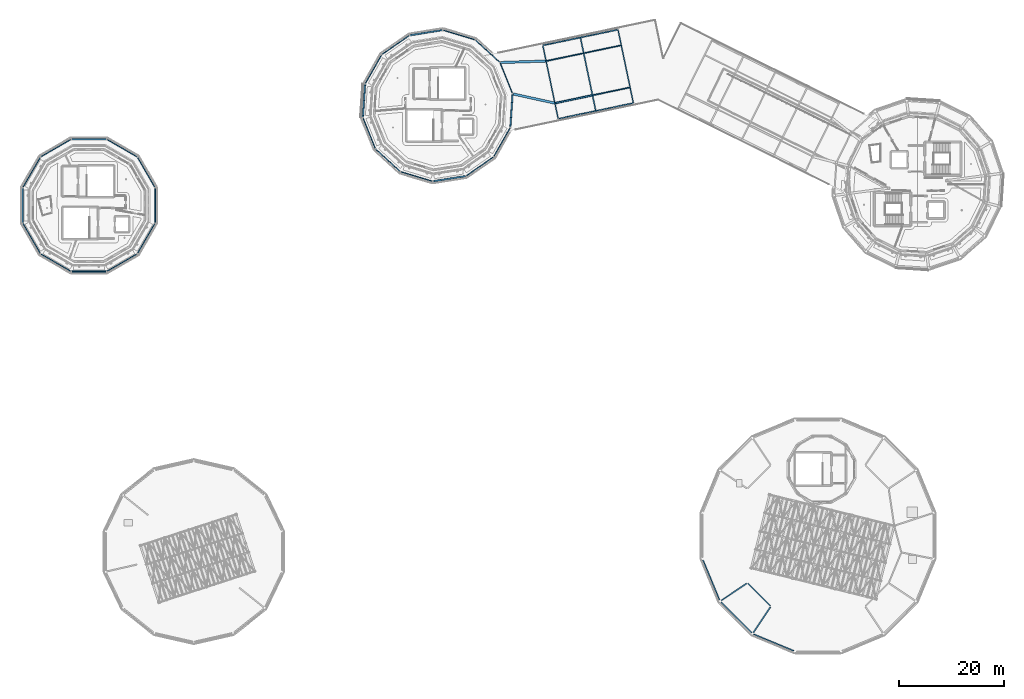
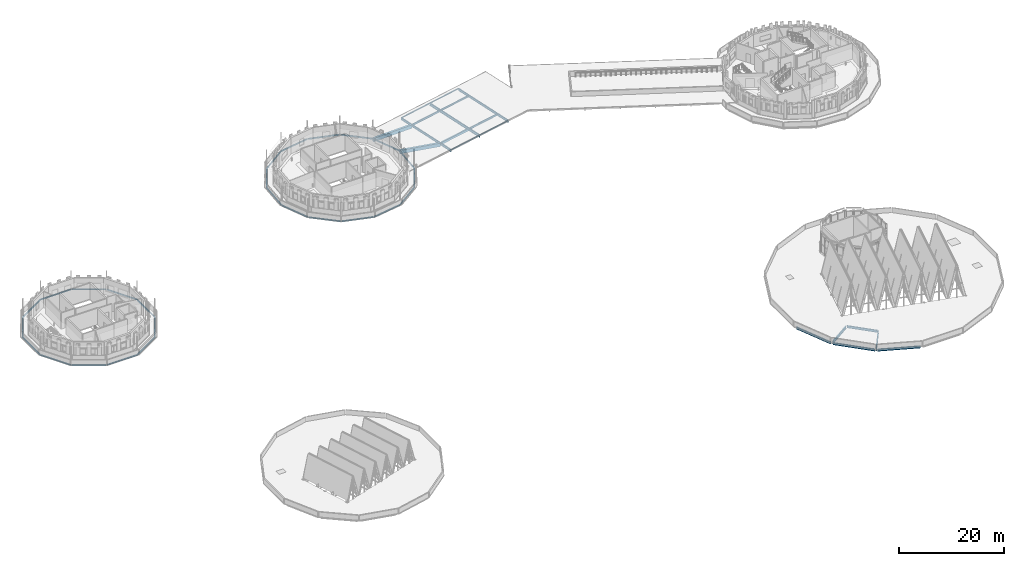
# One storey, part 10 of 51: 45 beams.
"""IFC4 building model written with IfcOpenShell, lengths in metres."""

import ifcopenshell
import ifcopenshell.guid

model = None  # the IFC model being written
_history = None  # IfcOwnerHistory: only IFC2X3 demands one
_inside = {}  # id of a spatial element -> (the spatial element, [elements in it])
_under = {}  # id of a project, library or spatial element -> (it, [spatial elements below it])
_declared = {}  # id of a project -> (the project, [libraries it declares])
_typed = {}  # id of a type object -> (the type object, [elements of that type])
_made_of = {}  # id of a material, layer set ... -> (it, [elements and type objects made of it])


def new_model(schema):
    """Start an empty IFC model of exactly this schema.

    Asked for "IFC4X3", IfcOpenShell would pick the latest addendum, in which some entities
    have other attributes; the version numbers below select the first issue.
    IFC2X3 requires an IfcOwnerHistory on every rooted entity: one is made here for all.
    """
    global model, _history
    if schema == "IFC4X3":
        model = ifcopenshell.file(schema_version=(4, 3, 0, 0))
    else:
        model = ifcopenshell.file(schema=schema)
    _inside.clear()
    _under.clear()
    _declared.clear()
    _typed.clear()
    _made_of.clear()
    _history = None
    if model.schema == "IFC2X3":
        org = make("IfcOrganization", Name="unknown")
        user = make(
            "IfcPersonAndOrganization",
            ThePerson=make("IfcPerson", FamilyName="unknown"),
            TheOrganization=org,
        )
        app = make(
            "IfcApplication",
            ApplicationDeveloper=org,
            Version="unknown",
            ApplicationFullName="unknown",
            ApplicationIdentifier="unknown",
        )
        _history = make(
            "IfcOwnerHistory",
            OwningUser=user,
            OwningApplication=app,
            ChangeAction="ADDED",
            CreationDate=0,
        )
    return model


def make(cls, **values):
    """One entity of the class cls with the attributes given. An attribute that is None is left unset."""
    return model.create_entity(
        cls, **{name: value for name, value in values.items() if value is not None}
    )


def rooted(cls, **values):
    """An entity with a GlobalId (a new one), such as an element, a storey or a relation."""
    return make(cls, GlobalId=ifcopenshell.guid.new(), OwnerHistory=_history, **values)


def si_unit(unit_type, name, prefix=None):
    """IfcSIUnit, for example si_unit("LENGTHUNIT", "METRE", prefix="MILLI")."""
    return make("IfcSIUnit", UnitType=unit_type, Prefix=prefix, Name=name)


def assignment(units):
    """IfcUnitAssignment: the units of a project."""
    return None if units is None else make("IfcUnitAssignment", Units=units)


def point(xyz):
    """IfcCartesianPoint."""
    return None if xyz is None else make("IfcCartesianPoint", Coordinates=xyz)


def direction(xyz):
    """IfcDirection."""
    return None if xyz is None else make("IfcDirection", DirectionRatios=xyz)


def frame(location, z_axis=None, x_axis=None):
    """IfcAxis2Placement3D, a coordinate frame: its origin and axes. An axis left out is left unset."""
    return make(
        "IfcAxis2Placement3D",
        Location=point(location),
        Axis=direction(z_axis),
        RefDirection=direction(x_axis),
    )


def frame_2d(location, x_axis=None):
    """IfcAxis2Placement2D, a coordinate frame in the plane: its origin and x axis."""
    return make(
        "IfcAxis2Placement2D", Location=point(location), RefDirection=direction(x_axis)
    )


def origin():
    """The frame at (0, 0, 0) with its axes left unset."""
    return frame((0.0, 0.0, 0.0))


def origin_2d():
    """The frame at (0, 0) in the plane with its x axis left unset."""
    return frame_2d((0.0, 0.0))


def place(relative_to, where):
    """IfcLocalPlacement: puts the frame where relative to a parent placement (None: the world)."""
    return make(
        "IfcLocalPlacement", PlacementRelTo=relative_to, RelativePlacement=where
    )


def context(
    kind, dimensions, precision=None, world=None, true_north=None, identifier=None
):
    """IfcGeometricRepresentationContext, for example the 3D "Model" context."""
    return make(
        "IfcGeometricRepresentationContext",
        ContextIdentifier=identifier,
        ContextType=kind,
        CoordinateSpaceDimension=dimensions,
        Precision=precision,
        WorldCoordinateSystem=world,
        TrueNorth=true_north,
    )


def subcontext(parent, identifier, kind, view, scale=None):
    """IfcGeometricRepresentationSubContext, for example "Body" below "Model"."""
    return make(
        "IfcGeometricRepresentationSubContext",
        ContextIdentifier=identifier,
        ContextType=kind,
        ParentContext=parent,
        TargetScale=scale,
        TargetView=view,
    )


def project(units=None, contexts=None):
    """IfcProject with its units and contexts."""
    return rooted(
        "IfcProject",
        Name="project",
        RepresentationContexts=contexts,
        UnitsInContext=assignment(units),
    )


def spatial(cls, under=None, at=None, **own):
    """A site, building, storey or space (cls), placed at a placement, below another one or the project."""
    s = rooted(cls, ObjectPlacement=at, **own)
    if under is not None:
        _under.setdefault(under.id(), (under, []))[1].append(s)
    return s


def profile(cls, at=None, kind="AREA", **sizes):
    """A parametric profile (cls). Its sizes go by their IFC names, for example OverallWidth=200.0."""
    return make(cls, ProfileType=kind, Position=at, **sizes)


def rectangle(**sizes):
    """IfcRectangleProfileDef."""
    return profile("IfcRectangleProfileDef", **sizes)


def hollow_rectangle(**sizes):
    """IfcRectangleHollowProfileDef."""
    return profile("IfcRectangleHollowProfileDef", **sizes)


def i_section(**sizes):
    """IfcIShapeProfileDef."""
    return profile("IfcIShapeProfileDef", **sizes)


def extrude(swept, where, along, depth):
    """IfcExtrudedAreaSolid: the profile swept, set in the frame where, extruded along a direction by depth."""
    return make(
        "IfcExtrudedAreaSolid",
        SweptArea=swept,
        Position=where,
        ExtrudedDirection=direction(along),
        Depth=depth,
    )


def shape(context_of_items, identifier, shape_type, items):
    """IfcShapeRepresentation: the items that make up one representation, for example the "Body"."""
    return make(
        "IfcShapeRepresentation",
        ContextOfItems=context_of_items,
        RepresentationIdentifier=identifier,
        RepresentationType=shape_type,
        Items=items,
    )


def material(Name=None, Category=None):
    """IfcMaterial."""
    return make("IfcMaterial", Name=Name, Category=Category)


def material_profile(
    of_material, cross_section, Name=None, Category=None, Priority=None
):
    """IfcMaterialProfile: a cross section and its material."""
    return make(
        "IfcMaterialProfile",
        Name=Name,
        Material=of_material,
        Profile=cross_section,
        Priority=Priority,
        Category=Category,
    )


def profile_set(profiles, Name=None, composite=None):
    """IfcMaterialProfileSet."""
    return make(
        "IfcMaterialProfileSet",
        Name=Name,
        MaterialProfiles=profiles,
        CompositeProfile=composite,
    )


def made_of(thing, what):
    """Note that an element or type object is made of a material, layer set ...; save() writes the relation."""
    if what is not None:
        _made_of.setdefault(what.id(), (what, []))[1].append(thing)
    return thing


def type_object(cls, material=None, **own):
    """A type object (cls), such as IfcWallType, which elements share."""
    return made_of(rooted(cls, **own), material)


def element(
    cls,
    number,
    at=None,
    inside=None,
    cuts=None,
    type_object=None,
    material=None,
    context=None,
    identifier="Body",
    shape_type=None,
    held_by="IfcProductDefinitionShape",
    body=None,
    shapes=None,
    **own,
):
    """One element of the class cls, such as IfcWall. Its Tag is "e" and its number.

    at: its placement. inside: the storey or other place that contains it. cuts: it is an
    opening in that element (IfcRelVoidsElement). A single representation is given by context,
    identifier, shape_type and body (its items); several are given by shapes. held_by: the class
    of the entity that holds the representations. save() writes the other relations.
    """
    e = rooted(cls, Tag="e%d" % number, ObjectPlacement=at, **own)
    if body is not None:
        shapes = [shape(context, identifier, shape_type, body)]
    if shapes is not None:
        e.Representation = make(held_by, Representations=shapes)
    if inside is not None:
        _inside.setdefault(inside.id(), (inside, []))[1].append(e)
    if cuts is not None:
        rooted(
            "IfcRelVoidsElement", RelatingBuildingElement=cuts, RelatedOpeningElement=e
        )
    if type_object is not None:
        _typed.setdefault(type_object.id(), (type_object, []))[1].append(e)
    return made_of(e, material)


def aggregate(whole, parts):
    """IfcRelAggregates: a whole, such as a stair, and the parts it consists of."""
    return rooted("IfcRelAggregates", RelatingObject=whole, RelatedObjects=parts)


def save(model, path):
    """Write the relations noted so far, then the file.

    IfcRelAggregates (storeys below a building ...), IfcRelContainedInSpatialStructure (elements
    in a storey), IfcRelDefinesByType, IfcRelAssociatesMaterial and IfcRelDeclares: one each for
    every whole, place, type object, material and project.
    """
    for whole, parts in _under.values():
        aggregate(whole, parts)
    for where, things in _inside.values():
        rooted(
            "IfcRelContainedInSpatialStructure",
            RelatedElements=things,
            RelatingStructure=where,
        )
    for kind, things in _typed.values():
        rooted("IfcRelDefinesByType", RelatedObjects=things, RelatingType=kind)
    for what, things in _made_of.values():
        rooted("IfcRelAssociatesMaterial", RelatedObjects=things, RelatingMaterial=what)
    for by, libraries in _declared.values():
        rooted("IfcRelDeclares", RelatingContext=by, RelatedDefinitions=libraries)
    model.write(path)


model = new_model("IFC4")

# Units and contexts
model_context = context("Model", 3, precision=1e-05, world=origin(), true_north=direction((0.0, 1.0)))
body_context = subcontext(model_context, "Body", "Model", "MODEL_VIEW")
ifc_project = project(units=[si_unit("LENGTHUNIT", "METRE"), si_unit("AREAUNIT", "SQUARE_METRE"), si_unit("VOLUMEUNIT", "CUBIC_METRE"), si_unit("PLANEANGLEUNIT", "RADIAN"), si_unit("MASSUNIT", "GRAM", prefix="KILO")], contexts=[model_context])

# Site, building, storey
site_placement = place(None, origin())
site = spatial("IfcSite", under=ifc_project, at=site_placement, CompositionType="ELEMENT")
building_placement = place(site_placement, origin())
building = spatial("IfcBuilding", under=site, at=building_placement, Name="Wrenclough Park School", CompositionType="ELEMENT")
storey_placement = place(building_placement, frame((0.0, 0.0, 16.800048828125)))
storey = spatial("IfcBuildingStorey", under=building, at=storey_placement, Name="L04", CompositionType="ELEMENT", Elevation=16.800048828125)

# Beams
ifc_material_1 = material(Name="Concrete C32/40", Category="concrete")
ifc_material_profile_1 = material_profile(ifc_material_1, rectangle(XDim=0.300048828125, YDim=0.5, at=origin_2d()), Name="RC BEAM 300x500")
ifc_profile_set_1 = profile_set([ifc_material_profile_1], Name="Concrete C32/40")
beam_type_1 = type_object("IfcBeamType", Name="STR-BM-RC300", PredefinedType="BEAM", material=ifc_profile_set_1)
beam_1_placement = place(storey_placement, frame((105.44287109375, 109.008544921875, -0.47509765625), z_axis=(0.978788063843, 0.20487539159, 0.0), x_axis=(-0.20487539159, 0.978788063843, 0.0)))
element("IfcBeam", 1, at=beam_1_placement, inside=storey, type_object=beam_type_1, Name="W45 L04 longitudinal edge beam R1", PredefinedType="BEAM", context=body_context, shape_type="SweptSolid", body=[
    extrude(rectangle(XDim=0.300048828125, YDim=0.5, at=origin_2d()), origin(), (0.0, 0.0, 1.0), 7.11181640625),
])
ifc_material_2 = material(Name="Concrete C40/50", Category="concrete")
ifc_material_profile_2 = material_profile(ifc_material_2, rectangle(XDim=0.449951171875, YDim=0.800048828125, at=origin_2d()), Name="RC BEAM 450x800")
ifc_profile_set_2 = profile_set([ifc_material_profile_2], Name="Concrete C40/50")
beam_type_2 = type_object("IfcBeamType", Name="STR-BM-RC450", PredefinedType="BEAM", material=ifc_profile_set_2)
beam_2_placement = place(storey_placement, frame((103.554931640625, 117.009521484375, -0.625), z_axis=(-0.999478341224, -0.032296213771, 0.0), x_axis=(0.032296213771, -0.999478341224, 0.0)))
element("IfcBeam", 2, at=beam_2_placement, inside=storey, type_object=beam_type_2, Name="W45 L04 drum junction tie beam 44", PredefinedType="BEAM", context=body_context, shape_type="SweptSolid", body=[
    extrude(rectangle(XDim=0.449951171875, YDim=0.800048828125, at=origin_2d()), origin(), (0.0, 0.0, 1.0), 8.594970703125),
])
beam_3_placement = place(storey_placement, frame((105.2373046875, 109.009521484375, -0.625), z_axis=(-0.976680008479, 0.214700165433, 0.0), x_axis=(-0.214700165433, -0.976680008479, 0.0)))
element("IfcBeam", 3, at=beam_3_placement, inside=storey, type_object=beam_type_2, Name="W45 L04 drum junction tie beam 48", PredefinedType="BEAM", context=body_context, shape_type="SweptSolid", body=[
    extrude(rectangle(XDim=0.449951171875, YDim=0.800048828125, at=origin_2d()), origin(), (0.0, 0.0, 1.0), 8.069091796875),
])
ifc_material_3 = material(Name="Structural steel S355", Category="steel")
ifc_material_profile_3 = material_profile(ifc_material_3, hollow_rectangle(XDim=0.14990234375, YDim=0.25, WallThickness=0.010009765625, InnerFilletRadius=0.010009765625, OuterFilletRadius=0.014892578125, at=origin_2d()), Name="RHS 250x150x10.0")
ifc_profile_set_3 = profile_set([ifc_material_profile_3], Name="Structural steel S355")
beam_type_3 = type_object("IfcBeamType", Name="STR-BM-RHS250", PredefinedType="SPANDREL", material=ifc_profile_set_3)
beam_4_placement = place(storey_placement, frame((103.035400390625, 119.998291015625, -0.35498046875), z_axis=(0.978789692292, 0.20486761155, 0.0), x_axis=(-0.20486761155, 0.978789692292, 0.0)))
element("IfcBeam", 4, at=beam_4_placement, inside=storey, type_object=beam_type_3, Name="W45 overhanging eave fascia beam L1", PredefinedType="SPANDREL", context=body_context, shape_type="SweptSolid", body=[
    extrude(hollow_rectangle(XDim=0.14990234375, YDim=0.25, WallThickness=0.010009765625, InnerFilletRadius=0.010009765625, OuterFilletRadius=0.014892578125, at=origin_2d()), origin(), (0.0, 0.0, 1.0), 7.32177734375),
])
for number, where, z_axis, x_axis, name in (
    (5, (110.201904296875, 121.498291015625, -0.35498046875), (0.97879109171, 0.20486092548, 0.0), (-0.20486092548, 0.97879109171, 0.0), "W45 overhanging eave fascia beam L2"),
    (6, (105.964599609375, 106.001708984375, -0.35498046875), (0.97879109171, 0.20486092548, 0.0), (-0.20486092548, 0.97879109171, 0.0), "W45 overhanging eave fascia beam R1"),
    (7, (113.13134765625, 107.501708984375, -0.35498046875), (0.97879109171, 0.20486092548, 0.0), (-0.20486092548, 0.97879109171, 0.0), "W45 overhanging eave fascia beam R2"),
):
    element("IfcBeam", number, at=place(storey_placement, frame(where, z_axis=z_axis, x_axis=x_axis)), inside=storey, type_object=beam_type_3, Name=name, PredefinedType="SPANDREL", context=body_context, shape_type="SweptSolid", body=[
        extrude(hollow_rectangle(XDim=0.14990234375, YDim=0.25, WallThickness=0.010009765625, InnerFilletRadius=0.010009765625, OuterFilletRadius=0.014892578125, at=origin_2d()), origin(), (0.0, 0.0, 1.0), 7.322021484375),
    ])
ifc_material_profile_4 = material_profile(ifc_material_3, hollow_rectangle(XDim=0.199951171875, YDim=0.300048828125, WallThickness=0.012451171875, InnerFilletRadius=0.012451171875, OuterFilletRadius=0.018798828125, at=origin_2d()), Name="RHS 300x200x12.5")
ifc_profile_set_4 = profile_set([ifc_material_profile_4], Name="Structural steel S355")
beam_type_4 = type_object("IfcBeamType", Name="STR-BM-RHS300", PredefinedType="SPANDREL", material=ifc_profile_set_4)
for number, where, z_axis, x_axis, name in (
    (8, (29.06201171875, 92.952392578125, -0.375), (-0.499984660018, 0.866034260146, 0.0), (-0.866034260146, -0.499984660018, 0.0), "D3 L04 outer ring spandrel beam 1"),
    (9, (25.65283203125, 98.77099609375, -0.375), (-0.866034260146, 0.499984660018, 0.0), (-0.499984660018, -0.866034260146, 0.0), "D3 L04 outer ring spandrel beam 2"),
):
    element("IfcBeam", number, at=place(storey_placement, frame(where, z_axis=z_axis, x_axis=x_axis)), inside=storey, type_object=beam_type_4, Name=name, PredefinedType="SPANDREL", context=body_context, shape_type="SweptSolid", body=[
        extrude(hollow_rectangle(XDim=0.199951171875, YDim=0.300048828125, WallThickness=0.012451171875, InnerFilletRadius=0.012451171875, OuterFilletRadius=0.018798828125, at=origin_2d()), origin(), (0.0, 0.0, 1.0), 6.582275390625),
    ])
beam_5_placement = place(storey_placement, frame((19.791259765625, 102.105224609375, -0.375), z_axis=(-1.0, 0.0, 0.0), x_axis=(0.0, -1.0, 0.0)))
element("IfcBeam", 10, at=beam_5_placement, inside=storey, type_object=beam_type_4, Name="D3 L04 outer ring spandrel beam 3", PredefinedType="SPANDREL", context=body_context, shape_type="SweptSolid", body=[
    extrude(hollow_rectangle(XDim=0.199951171875, YDim=0.300048828125, WallThickness=0.012451171875, InnerFilletRadius=0.012451171875, OuterFilletRadius=0.018798828125, at=origin_2d()), origin(), (0.0, 0.0, 1.0), 6.58251953125),
])
for number, where, z_axis, x_axis, name in (
    (11, (13.047607421875, 102.06201171875, -0.375), (-0.866034260146, -0.499984660018, 0.0), (0.499984660018, -0.866034260146, 0.0), "D3 L04 outer ring spandrel beam 4"),
    (12, (7.22900390625, 98.65283203125, -0.375), (-0.499984660018, -0.866034260146, 0.0), (0.866034260146, -0.499984660018, 0.0), "D3 L04 outer ring spandrel beam 5"),
):
    element("IfcBeam", number, at=place(storey_placement, frame(where, z_axis=z_axis, x_axis=x_axis)), inside=storey, type_object=beam_type_4, Name=name, PredefinedType="SPANDREL", context=body_context, shape_type="SweptSolid", body=[
        extrude(hollow_rectangle(XDim=0.199951171875, YDim=0.300048828125, WallThickness=0.012451171875, InnerFilletRadius=0.012451171875, OuterFilletRadius=0.018798828125, at=origin_2d()), origin(), (0.0, 0.0, 1.0), 6.582275390625),
    ])
beam_6_placement = place(storey_placement, frame((3.894775390625, 92.791259765625, -0.375), z_axis=(0.0, -1.0, 0.0), x_axis=(1.0, 0.0, 0.0)))
element("IfcBeam", 13, at=beam_6_placement, inside=storey, type_object=beam_type_4, Name="D3 L04 outer ring spandrel beam 6", PredefinedType="SPANDREL", context=body_context, shape_type="SweptSolid", body=[
    extrude(hollow_rectangle(XDim=0.199951171875, YDim=0.300048828125, WallThickness=0.012451171875, InnerFilletRadius=0.012451171875, OuterFilletRadius=0.018798828125, at=origin_2d()), origin(), (0.0, 0.0, 1.0), 6.58251953125),
])
for number, where, z_axis, x_axis, name in (
    (14, (3.93798828125, 86.047607421875, -0.375), (0.499984660018, -0.866034260146, 0.0), (0.866034260146, 0.499984660018, 0.0), "D3 L04 outer ring spandrel beam 7"),
    (15, (7.34716796875, 80.22900390625, -0.375), (0.866034260146, -0.499984660018, 0.0), (0.499984660018, 0.866034260146, 0.0), "D3 L04 outer ring spandrel beam 8"),
):
    element("IfcBeam", number, at=place(storey_placement, frame(where, z_axis=z_axis, x_axis=x_axis)), inside=storey, type_object=beam_type_4, Name=name, PredefinedType="SPANDREL", context=body_context, shape_type="SweptSolid", body=[
        extrude(hollow_rectangle(XDim=0.199951171875, YDim=0.300048828125, WallThickness=0.012451171875, InnerFilletRadius=0.012451171875, OuterFilletRadius=0.018798828125, at=origin_2d()), origin(), (0.0, 0.0, 1.0), 6.582275390625),
    ])
beam_7_placement = place(storey_placement, frame((13.208740234375, 76.894775390625, -0.375), z_axis=(1.0, 0.0, 0.0), x_axis=(0.0, 1.0, 0.0)))
element("IfcBeam", 16, at=beam_7_placement, inside=storey, type_object=beam_type_4, Name="D3 L04 outer ring spandrel beam 9", PredefinedType="SPANDREL", context=body_context, shape_type="SweptSolid", body=[
    extrude(hollow_rectangle(XDim=0.199951171875, YDim=0.300048828125, WallThickness=0.012451171875, InnerFilletRadius=0.012451171875, OuterFilletRadius=0.018798828125, at=origin_2d()), origin(), (0.0, 0.0, 1.0), 6.58251953125),
])
for number, where, z_axis, x_axis, name in (
    (17, (19.952392578125, 76.93798828125, -0.375), (0.866034260146, 0.499984660018, 0.0), (-0.499984660018, 0.866034260146, 0.0), "D3 L04 outer ring spandrel beam 10"),
    (18, (25.77099609375, 80.34716796875, -0.375), (0.499984660018, 0.866034260146, 0.0), (-0.866034260146, 0.499984660018, 0.0), "D3 L04 outer ring spandrel beam 11"),
):
    element("IfcBeam", number, at=place(storey_placement, frame(where, z_axis=z_axis, x_axis=x_axis)), inside=storey, type_object=beam_type_4, Name=name, PredefinedType="SPANDREL", context=body_context, shape_type="SweptSolid", body=[
        extrude(hollow_rectangle(XDim=0.199951171875, YDim=0.300048828125, WallThickness=0.012451171875, InnerFilletRadius=0.012451171875, OuterFilletRadius=0.018798828125, at=origin_2d()), origin(), (0.0, 0.0, 1.0), 6.582275390625),
    ])
beam_8_placement = place(storey_placement, frame((29.105224609375, 86.208740234375, -0.375), z_axis=(0.0, 1.0, 0.0), x_axis=(-1.0, 0.0, 0.0)))
element("IfcBeam", 19, at=beam_8_placement, inside=storey, type_object=beam_type_4, Name="D3 L04 outer ring spandrel beam 12", PredefinedType="SPANDREL", context=body_context, shape_type="SweptSolid", body=[
    extrude(hollow_rectangle(XDim=0.199951171875, YDim=0.300048828125, WallThickness=0.012451171875, InnerFilletRadius=0.012451171875, OuterFilletRadius=0.018798828125, at=origin_2d()), origin(), (0.0, 0.0, 1.0), 6.58251953125),
])
for number, where, z_axis, x_axis, name in (
    (20, (97.239990234375, 110.8408203125, -0.375), (-0.372298553834, 0.928113024805, 0.0), (-0.928113024805, -0.372298553834, 0.0), "D4 L04 outer ring spandrel beam 1"),
    (21, (94.814208984375, 116.787353515625, -0.375), (-0.738112069557, 0.674678125312, 0.0), (-0.674678125312, -0.738112069557, 0.0), "D4 L04 outer ring spandrel beam 2"),
):
    element("IfcBeam", number, at=place(storey_placement, frame(where, z_axis=z_axis, x_axis=x_axis)), inside=storey, type_object=beam_type_4, Name=name, PredefinedType="SPANDREL", context=body_context, shape_type="SweptSolid", body=[
        extrude(hollow_rectangle(XDim=0.199951171875, YDim=0.300048828125, WallThickness=0.012451171875, InnerFilletRadius=0.012451171875, OuterFilletRadius=0.018798828125, at=origin_2d()), origin(), (0.0, 0.0, 1.0), 6.258056640625),
    ])
beam_9_placement = place(storey_placement, frame((90.048583984375, 121.092529296875, -0.375), z_axis=(-0.957743572227, 0.28762345151, 0.0), x_axis=(-0.28762345151, -0.957743572227, 0.0)))
element("IfcBeam", 22, at=beam_9_placement, inside=storey, type_object=beam_type_4, Name="D4 L04 outer ring spandrel beam 3", PredefinedType="SPANDREL", context=body_context, shape_type="SweptSolid", body=[
    extrude(hollow_rectangle(XDim=0.199951171875, YDim=0.300048828125, WallThickness=0.012451171875, InnerFilletRadius=0.012451171875, OuterFilletRadius=0.018798828125, at=origin_2d()), origin(), (0.0, 0.0, 1.0), 6.25830078125),
])
for number, where, z_axis, x_axis, name in (
    (23, (83.88671875, 122.90380859375, -0.375), (-0.987687248788, -0.156441358283, 0.0), (0.156441358283, -0.987687248788, 0.0), "D4 L04 outer ring spandrel beam 4"),
    (24, (77.54931640625, 121.862060546875, -0.375), (-0.821989899803, -0.569502067267, 0.0), (0.569502067267, -0.821989899803, 0.0), "D4 L04 outer ring spandrel beam 5"),
    (25, (72.29150390625, 118.173828125, -0.375), (-0.493506627424, -0.869742035714, 0.0), (0.869742035714, -0.493506627424, 0.0), "D4 L04 outer ring spandrel beam 6"),
    (26, (69.15478515625, 112.569580078125, -0.375), (-0.067295778887, -0.997733069585, 0.0), (0.997733069585, -0.067295778887, 0.0), "D4 L04 outer ring spandrel beam 7"),
    (27, (68.760009765625, 106.1591796875, -0.375), (0.372298553834, -0.928113024805, 0.0), (0.928113024805, 0.372298553834, 0.0), "D4 L04 outer ring spandrel beam 8"),
    (28, (71.185791015625, 100.212646484375, -0.375), (0.738112069557, -0.674678125312, 0.0), (0.674678125312, 0.738112069557, 0.0), "D4 L04 outer ring spandrel beam 9"),
):
    element("IfcBeam", number, at=place(storey_placement, frame(where, z_axis=z_axis, x_axis=x_axis)), inside=storey, type_object=beam_type_4, Name=name, PredefinedType="SPANDREL", context=body_context, shape_type="SweptSolid", body=[
        extrude(hollow_rectangle(XDim=0.199951171875, YDim=0.300048828125, WallThickness=0.012451171875, InnerFilletRadius=0.012451171875, OuterFilletRadius=0.018798828125, at=origin_2d()), origin(), (0.0, 0.0, 1.0), 6.258056640625),
    ])
beam_10_placement = place(storey_placement, frame((75.951416015625, 95.907470703125, -0.375), z_axis=(0.957743572227, -0.28762345151, 0.0), x_axis=(0.28762345151, 0.957743572227, 0.0)))
element("IfcBeam", 29, at=beam_10_placement, inside=storey, type_object=beam_type_4, Name="D4 L04 outer ring spandrel beam 10", PredefinedType="SPANDREL", context=body_context, shape_type="SweptSolid", body=[
    extrude(hollow_rectangle(XDim=0.199951171875, YDim=0.300048828125, WallThickness=0.012451171875, InnerFilletRadius=0.012451171875, OuterFilletRadius=0.018798828125, at=origin_2d()), origin(), (0.0, 0.0, 1.0), 6.25830078125),
])
for number, where, z_axis, x_axis, name in (
    (30, (82.11328125, 94.09619140625, -0.375), (0.987687248788, 0.156441358283, 0.0), (-0.156441358283, 0.987687248788, 0.0), "D4 L04 outer ring spandrel beam 11"),
    (31, (88.45068359375, 95.137939453125, -0.375), (0.821989899803, 0.569502067267, 0.0), (-0.569502067267, 0.821989899803, 0.0), "D4 L04 outer ring spandrel beam 12"),
    (32, (93.70849609375, 98.826171875, -0.375), (0.493506627424, 0.869742035714, 0.0), (-0.869742035714, 0.493506627424, 0.0), "D4 L04 outer ring spandrel beam 13"),
    (33, (96.84521484375, 104.430419921875, -0.375), (0.067295778887, 0.997733069585, 0.0), (-0.997733069585, 0.067295778887, 0.0), "D4 L04 outer ring spandrel beam 14"),
):
    element("IfcBeam", number, at=place(storey_placement, frame(where, z_axis=z_axis, x_axis=x_axis)), inside=storey, type_object=beam_type_4, Name=name, PredefinedType="SPANDREL", context=body_context, shape_type="SweptSolid", body=[
        extrude(hollow_rectangle(XDim=0.199951171875, YDim=0.300048828125, WallThickness=0.012451171875, InnerFilletRadius=0.012451171875, OuterFilletRadius=0.018798828125, at=origin_2d()), origin(), (0.0, 0.0, 1.0), 6.258056640625),
    ])
ifc_material_profile_5 = material_profile(ifc_material_3, i_section(OverallWidth=0.177978515625, OverallDepth=0.406494140625, WebThickness=0.0078125, FlangeThickness=0.0126953125, FilletRadius=0.01025390625, at=origin_2d()), Name="UKB 406x178x60")
ifc_profile_set_5 = profile_set([ifc_material_profile_5], Name="Structural steel S355")
beam_type_5 = type_object("IfcBeamType", Name="STR-BM-UKB406", PredefinedType="BEAM", material=ifc_profile_set_5)
beam_11_placement = place(storey_placement, frame((110.9296875, 118.534423828125, -0.42822265625), z_axis=(0.978786622848, 0.204882275794, 0.0), x_axis=(-0.204882275794, 0.978786622848, 0.0)))
element("IfcBeam", 34, at=beam_11_placement, inside=storey, type_object=beam_type_5, Name="W45 L04 longitudinal edge beam L2", PredefinedType="BEAM", context=body_context, shape_type="SweptSolid", body=[
    extrude(i_section(OverallWidth=0.177978515625, OverallDepth=0.406494140625, WebThickness=0.0078125, FlangeThickness=0.0126953125, FilletRadius=0.01025390625, at=origin_2d()), origin(), (0.0, 0.0, 1.0), 7.111572265625),
])
ifc_material_profile_6 = material_profile(ifc_material_3, i_section(OverallWidth=0.18994140625, OverallDepth=0.453369140625, WebThickness=0.008544921875, FlangeThickness=0.0126953125, FilletRadius=0.01025390625, at=origin_2d()), Name="UKB 457x191x67")
ifc_profile_set_6 = profile_set([ifc_material_profile_6], Name="Structural steel S355")
beam_type_6 = type_object("IfcBeamType", Name="STR-BM-UKB457A", PredefinedType="BEAM", material=ifc_profile_set_6)
beam_12_placement = place(storey_placement, frame((103.762939453125, 117.034423828125, -0.45166015625), z_axis=(0.978788063843, 0.20487539159, 0.0), x_axis=(-0.20487539159, 0.978788063843, 0.0)))
element("IfcBeam", 35, at=beam_12_placement, inside=storey, type_object=beam_type_6, Name="W45 L04 longitudinal edge beam L1", PredefinedType="BEAM", context=body_context, shape_type="SweptSolid", body=[
    extrude(i_section(OverallWidth=0.18994140625, OverallDepth=0.453369140625, WebThickness=0.008544921875, FlangeThickness=0.0126953125, FilletRadius=0.01025390625, at=origin_2d()), origin(), (0.0, 0.0, 1.0), 7.11181640625),
])
beam_13_placement = place(storey_placement, frame((112.609619140625, 110.508544921875, -0.45166015625), z_axis=(0.978786622848, 0.204882275794, 0.0), x_axis=(-0.204882275794, 0.978786622848, 0.0)))
element("IfcBeam", 36, at=beam_13_placement, inside=storey, type_object=beam_type_6, Name="W45 L04 longitudinal edge beam R2", PredefinedType="BEAM", context=body_context, shape_type="SweptSolid", body=[
    extrude(i_section(OverallWidth=0.18994140625, OverallDepth=0.453369140625, WebThickness=0.008544921875, FlangeThickness=0.0126953125, FilletRadius=0.01025390625, at=origin_2d()), origin(), (0.0, 0.0, 1.0), 7.111572265625),
])
ifc_material_profile_7 = material_profile(ifc_material_3, i_section(OverallWidth=0.209228515625, OverallDepth=0.533203125, WebThickness=0.010009765625, FlangeThickness=0.015625, FilletRadius=0.0126953125, at=origin_2d()), Name="UKB 533x210x92")
ifc_profile_set_7 = profile_set([ifc_material_profile_7], Name="Structural steel S355")
beam_type_7 = type_object("IfcBeamType", Name="STR-BM-UKB533A", PredefinedType="BEAM", material=ifc_profile_set_7)
beam_14_placement = place(storey_placement, frame((142.11669921875, 17.413330078125, -0.491455078125), z_axis=(0.707106781187, -0.707106781187, 0.0), x_axis=(0.707106781187, 0.707106781187, 0.0)))
element("IfcBeam", 37, at=beam_14_placement, inside=storey, type_object=beam_type_7, Name="D1 L04 middle ring beam 10", PredefinedType="BEAM", context=body_context, shape_type="SweptSolid", body=[
    extrude(i_section(OverallWidth=0.209228515625, OverallDepth=0.533203125, WebThickness=0.010009765625, FlangeThickness=0.015625, FilletRadius=0.0126953125, at=origin_2d()), origin(), (0.0, 0.0, 1.0), 6.076416015625),
])
for number, where, z_axis, x_axis, name in (
    (38, (105.964599609375, 106.001708984375, -0.49658203125), (-0.204841852632, 0.978795083462, 0.0), (-0.978795083462, -0.204841852632, 0.0), "W45 continuous overhanging eave roof girder 1.1"),
    (39, (120.298095703125, 109.001708984375, -0.49658203125), (-0.20485820916, 0.978791660232, 0.0), (-0.978791660232, -0.20485820916, 0.0), "W45 continuous overhanging eave roof girder 1.3"),
):
    element("IfcBeam", number, at=place(storey_placement, frame(where, z_axis=z_axis, x_axis=x_axis)), inside=storey, type_object=beam_type_7, Name=name, PredefinedType="BEAM", context=body_context, shape_type="SweptSolid", body=[
        extrude(i_section(OverallWidth=0.209228515625, OverallDepth=0.533203125, WebThickness=0.010009765625, FlangeThickness=0.015625, FilletRadius=0.0126953125, at=origin_2d()), origin(), (0.0, 0.0, 1.0), 14.2998046875),
    ])
ifc_material_profile_8 = material_profile(ifc_material_3, i_section(OverallWidth=0.210693359375, OverallDepth=0.53955078125, WebThickness=0.01171875, FlangeThickness=0.018798828125, FilletRadius=0.0126953125, at=origin_2d()), Name="UKB 533x210x109")
ifc_profile_set_8 = profile_set([ifc_material_profile_8], Name="Structural steel S355")
beam_type_8 = type_object("IfcBeamType", Name="STR-BM-UKB533B", PredefinedType="SPANDREL", material=ifc_profile_set_8)
for number, where, z_axis, x_axis, name in (
    (40, (133.5732421875, 21.8984375, -0.49462890625), (0.382679925467, -0.923880985108, 0.0), (0.923880985108, 0.382679925467, 0.0), "D1 L04 outer ring spandrel beam 9"),
    (41, (137.003173828125, 13.857666015625, -0.49462890625), (0.707106781187, -0.707106781187, 0.0), (0.707106781187, 0.707106781187, 0.0), "D1 L04 outer ring spandrel beam 10"),
    (42, (143.2490234375, 7.74169921875, -0.49462890625), (0.923880985108, -0.382679925467, 0.0), (0.382679925467, 0.923880985108, 0.0), "D1 L04 outer ring spandrel beam 11"),
):
    element("IfcBeam", number, at=place(storey_placement, frame(where, z_axis=z_axis, x_axis=x_axis)), inside=storey, type_object=beam_type_8, Name=name, PredefinedType="SPANDREL", context=body_context, shape_type="SweptSolid", body=[
        extrude(i_section(OverallWidth=0.210693359375, OverallDepth=0.53955078125, WebThickness=0.01171875, FlangeThickness=0.018798828125, FilletRadius=0.0126953125, at=origin_2d()), origin(), (0.0, 0.0, 1.0), 8.279541015625),
    ])
ifc_material_profile_9 = material_profile(ifc_material_3, i_section(OverallWidth=0.22900390625, OverallDepth=0.6123046875, WebThickness=0.011962890625, FlangeThickness=0.01953125, FilletRadius=0.0126953125, at=origin_2d()), Name="UKB 610x229x125")
ifc_profile_set_9 = profile_set([ifc_material_profile_9], Name="Structural steel S355")
beam_type_9 = type_object("IfcBeamType", Name="STR-BM-UKB610", PredefinedType="BEAM", material=ifc_profile_set_9)
for number, where, z_axis, x_axis, name in (
    (43, (137.033203125, 14.16064453125, -0.53125), (0.831456549723, 0.555589782054, 0.0), (-0.555589782054, 0.831456549723, 0.0), "D1 L04 radial girder 10"),
    (44, (143.16064453125, 8.033203125, -0.53125), (0.555589782054, 0.831456549723, 0.0), (-0.831456549723, 0.555589782054, 0.0), "D1 L04 radial girder 11"),
):
    element("IfcBeam", number, at=place(storey_placement, frame(where, z_axis=z_axis, x_axis=x_axis)), inside=storey, type_object=beam_type_9, Name=name, PredefinedType="BEAM", context=body_context, shape_type="SweptSolid", body=[
        extrude(i_section(OverallWidth=0.22900390625, OverallDepth=0.6123046875, WebThickness=0.011962890625, FlangeThickness=0.01953125, FilletRadius=0.0126953125, at=origin_2d()), origin(), (0.0, 0.0, 1.0), 5.887939453125),
    ])
beam_15_placement = place(storey_placement, frame((113.13134765625, 107.501708984375, -0.5361328125), z_axis=(-0.20485820916, 0.978791660232, 0.0), x_axis=(-0.978791660232, -0.20485820916, 0.0)))
element("IfcBeam", 45, at=beam_15_placement, inside=storey, type_object=beam_type_9, Name="W45 continuous overhanging eave roof girder 1.2", PredefinedType="BEAM", context=body_context, shape_type="SweptSolid", body=[
    extrude(i_section(OverallWidth=0.22900390625, OverallDepth=0.6123046875, WebThickness=0.011962890625, FlangeThickness=0.01953125, FilletRadius=0.0126953125, at=origin_2d()), origin(), (0.0, 0.0, 1.0), 14.2998046875),
])

save(model, "model.ifc")
